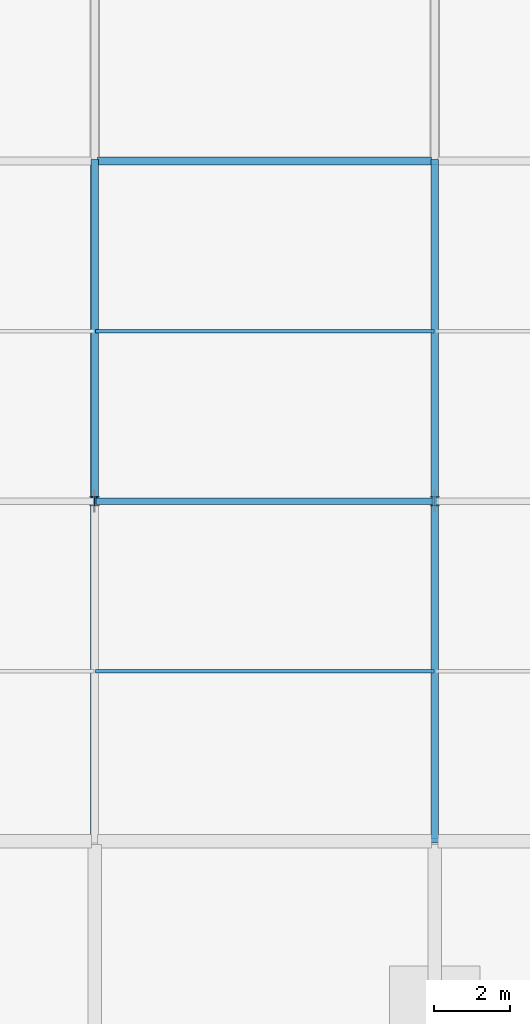
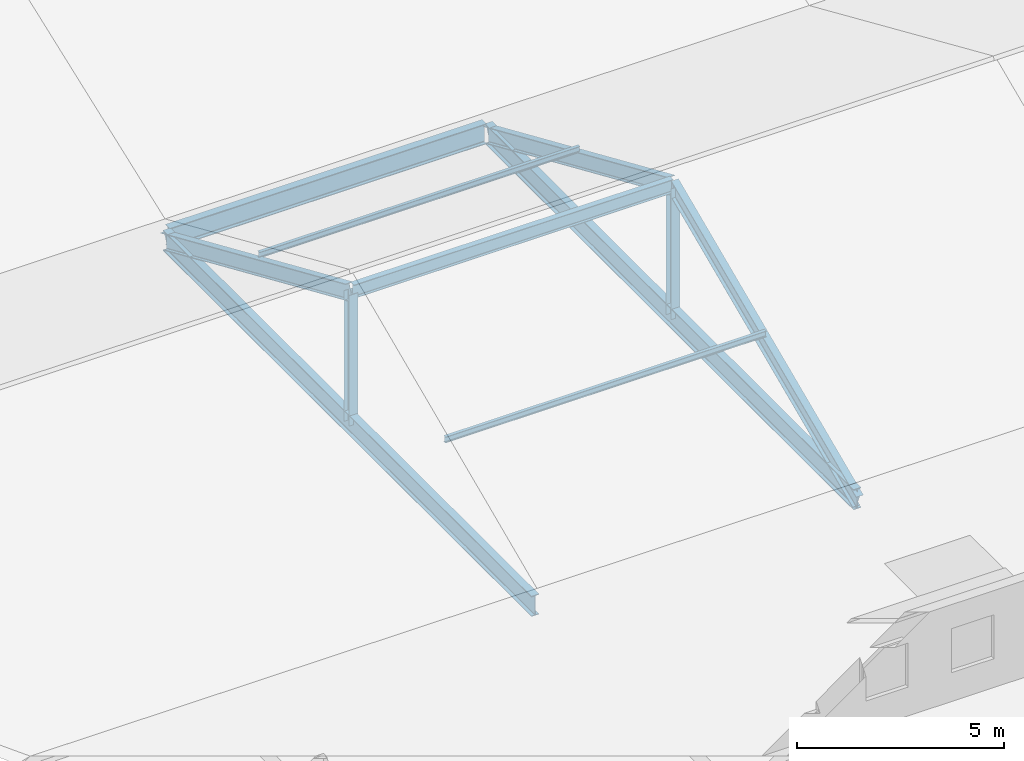
# One storey, part 16 of 163: 8 members, 3 beams.
"""IFC4 building model written with IfcOpenShell, lengths in metres."""

from ifc_helpers import new_model, si_unit, direction, frame, origin, origin_2d, place, context, subcontext, project, spatial, i_section, extrude, material, material_profile, profile_set, type_object, element, save


model = new_model("IFC4")

# Units and contexts
model_context = context("Model", 3, precision=1e-05, world=origin(), true_north=direction((0.0, 1.0)))
body_context = subcontext(model_context, "Body", "Model", "MODEL_VIEW")
ifc_project = project(units=[si_unit("LENGTHUNIT", "METRE"), si_unit("AREAUNIT", "SQUARE_METRE"), si_unit("VOLUMEUNIT", "CUBIC_METRE"), si_unit("PLANEANGLEUNIT", "RADIAN"), si_unit("MASSUNIT", "GRAM", prefix="KILO")], contexts=[model_context])

# Site, building, storey
site_placement = place(None, origin())
site = spatial("IfcSite", under=ifc_project, at=site_placement, CompositionType="ELEMENT")
building_placement = place(site_placement, origin())
building = spatial("IfcBuilding", under=site, at=building_placement, Name="Tharagai Park Tramway Depot", CompositionType="ELEMENT")
storey_placement = place(building_placement, frame((0.0, 0.0, 8.39990234375)))
storey = spatial("IfcBuildingStorey", under=building, at=storey_placement, Name="L02", CompositionType="ELEMENT", Elevation=8.39990234375)

# Beams
ifc_material_1 = material(Name="Steel E350", Category="steel")
ifc_material_profile_1 = material_profile(ifc_material_1, i_section(OverallWidth=0.2099609375, OverallDepth=0.60009765625, WebThickness=0.011962890625, FlangeThickness=0.020751953125, FilletRadius=0.02001953125, at=origin_2d()), Name="ISMB 600")
ifc_profile_set_1 = profile_set([ifc_material_profile_1], Name="Steel E350")
beam_type = type_object("IfcBeamType", Name="BM-10", PredefinedType="BEAM", material=ifc_profile_set_1)
beam_placement = place(storey_placement, frame((18.080078125, 63.0, -0.5498046875), z_axis=(1.0, 0.0, 0.0), x_axis=(0.0, 1.0, 0.0)))
element("IfcBeam", 1, at=beam_placement, inside=storey, type_object=beam_type, Name="V2A Roof Eave Girder BM-10", PredefinedType="BEAM", context=body_context, shape_type="SweptSolid", body=[
    extrude(i_section(OverallWidth=0.2099609375, OverallDepth=0.60009765625, WebThickness=0.011962890625, FlangeThickness=0.020751953125, FilletRadius=0.02001953125, at=origin_2d()), origin(), (0.0, 0.0, 1.0), 8.83984375),
])
for number, where, z_axis, x_axis, name in (
    (2, (18.0, 45.080078125, -0.5498046875), (0.0, 1.0, 0.0), (-1.0, 0.0, 0.0), "V2A Gable Tie Girder BM-10"),
    (3, (27.0, 45.080078125, -0.5498046875), (0.0, 1.0, 0.0), (-1.0, 0.0, 0.0), "V2A Gable Tie Girder BM-10"),
):
    element("IfcBeam", number, at=place(storey_placement, frame(where, z_axis=z_axis, x_axis=x_axis)), inside=storey, type_object=beam_type, Name=name, PredefinedType="BEAM", context=body_context, shape_type="SweptSolid", body=[
        extrude(i_section(OverallWidth=0.2099609375, OverallDepth=0.60009765625, WebThickness=0.011962890625, FlangeThickness=0.020751953125, FilletRadius=0.02001953125, at=origin_2d()), origin(), (0.0, 0.0, 1.0), 17.83984375),
    ])

# Members
ifc_material_profile_2 = material_profile(ifc_material_1, i_section(OverallWidth=0.25, OverallDepth=0.25, WebThickness=0.0087890625, FlangeThickness=0.009765625, FilletRadius=0.010009765625, at=origin_2d()), Name="ISHB 250")
ifc_profile_set_2 = profile_set([ifc_material_profile_2], Name="Steel E350")
member_type_1 = type_object("IfcMemberType", Name="BR-01", PredefinedType="BRACE", material=ifc_profile_set_2)
for number, where, z_axis, x_axis, name in (
    (4, (18.0, 54.0, -0.5498046875), (0.0, 0.0, 1.0), (1.0, 0.0, 0.0), "V2A Gable King Strut BR-01"),
    (5, (27.0, 54.0, -0.5498046875), (0.0, 0.0, 1.0), (1.0, 0.0, 0.0), "V2A Gable King Strut BR-01"),
):
    element("IfcMember", number, at=place(storey_placement, frame(where, z_axis=z_axis, x_axis=x_axis)), inside=storey, type_object=member_type_1, Name=name, PredefinedType="BRACE", context=body_context, shape_type="SweptSolid", body=[
        extrude(i_section(OverallWidth=0.25, OverallDepth=0.25, WebThickness=0.0087890625, FlangeThickness=0.009765625, FilletRadius=0.010009765625, at=origin_2d()), origin(), (0.0, 0.0, 1.0), 3.85791015625),
    ])
ifc_material_2 = material(Name="Steel E250", Category="steel")
ifc_material_profile_3 = material_profile(ifc_material_2, i_section(OverallWidth=0.090087890625, OverallDepth=0.175048828125, WebThickness=0.005615234375, FlangeThickness=0.009033203125, FilletRadius=0.010009765625, at=origin_2d()), Name="ISMB 175")
ifc_profile_set_3 = profile_set([ifc_material_profile_3], Name="Steel E250")
member_type_2 = type_object("IfcMemberType", Name="PR-01", PredefinedType="PURLIN", material=ifc_profile_set_3)
for number, where, z_axis, x_axis, name in (
    (6, (18.02001953125, 49.5, 1.6689453125), (1.0, 0.0, 0.0), (0.0, 1.0, 0.0), "V2A Roof Purlin PR-01"),
    (7, (18.02001953125, 58.5, 1.6689453125), (1.0, 0.0, 0.0), (0.0, 1.0, 0.0), "V2A Roof Purlin PR-01"),
):
    element("IfcMember", number, at=place(storey_placement, frame(where, z_axis=z_axis, x_axis=x_axis)), inside=storey, type_object=member_type_2, Name=name, PredefinedType="PURLIN", context=body_context, shape_type="SweptSolid", body=[
        extrude(i_section(OverallWidth=0.090087890625, OverallDepth=0.175048828125, WebThickness=0.005615234375, FlangeThickness=0.009033203125, FilletRadius=0.010009765625, at=origin_2d()), origin(), (0.0, 0.0, 1.0), 8.9599609375),
    ])
ifc_material_profile_4 = material_profile(ifc_material_1, i_section(OverallWidth=0.199951171875, OverallDepth=0.449951171875, WebThickness=0.00927734375, FlangeThickness=0.015380859375, FilletRadius=0.014892578125, at=origin_2d()), Name="ISWB 450")
ifc_profile_set_4 = profile_set([ifc_material_profile_4], Name="Steel E350")
member_type_3 = type_object("IfcMemberType", Name="RF-03", PredefinedType="RAFTER", material=ifc_profile_set_4)
for number, where, z_axis, x_axis, name in (
    (8, (18.0, 54.0, 3.30810546875), (0.0, 0.916242784214, -0.400623464584), (-1.0, 0.0, 0.0), "V2A Pitched Rafter RF-03 North"),
    (9, (27.0, 45.050048828125, -0.605224609375), (0.0, 0.916242784214, 0.400623464584), (-1.0, 0.0, 0.0), "V2A Pitched Rafter RF-03 South"),
    (10, (27.0, 54.0, 3.30810546875), (0.0, 0.916242784214, -0.400623464584), (-1.0, 0.0, 0.0), "V2A Pitched Rafter RF-03 North"),
):
    element("IfcMember", number, at=place(storey_placement, frame(where, z_axis=z_axis, x_axis=x_axis)), inside=storey, type_object=member_type_3, Name=name, PredefinedType="RAFTER", context=body_context, shape_type="SweptSolid", body=[
        extrude(i_section(OverallWidth=0.199951171875, OverallDepth=0.449951171875, WebThickness=0.00927734375, FlangeThickness=0.015380859375, FilletRadius=0.014892578125, at=origin_2d()), origin(), (0.0, 0.0, 1.0), 9.76806640625),
    ])
ifc_material_profile_5 = material_profile(ifc_material_1, i_section(OverallWidth=0.1650390625, OverallDepth=0.39990234375, WebThickness=0.008056640625, FlangeThickness=0.012451171875, FilletRadius=0.013916015625, at=origin_2d()), Name="ISLB 400")
ifc_profile_set_5 = profile_set([ifc_material_profile_5], Name="Steel E350")
member_type_4 = type_object("IfcMemberType", Name="TC-04", PredefinedType="CHORD", material=ifc_profile_set_5)
member_placement = place(storey_placement, frame((18.0400390625, 54.0, 3.3330078125), z_axis=(1.0, 0.0, 0.0), x_axis=(0.0, 1.0, 0.0)))
element("IfcMember", 11, at=member_placement, inside=storey, type_object=member_type_4, Name="V2A Roof Ridge Chord TC-04", PredefinedType="CHORD", context=body_context, shape_type="SweptSolid", body=[
    extrude(i_section(OverallWidth=0.1650390625, OverallDepth=0.39990234375, WebThickness=0.008056640625, FlangeThickness=0.012451171875, FilletRadius=0.013916015625, at=origin_2d()), origin(), (0.0, 0.0, 1.0), 8.919921875),
])

save(model, "model.ifc")
